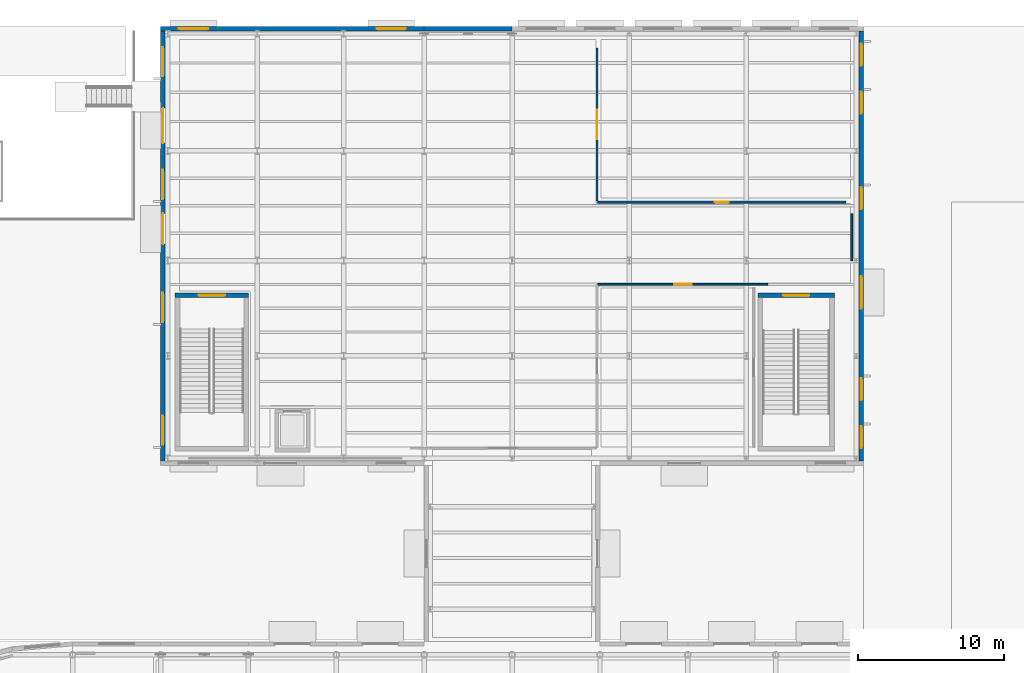
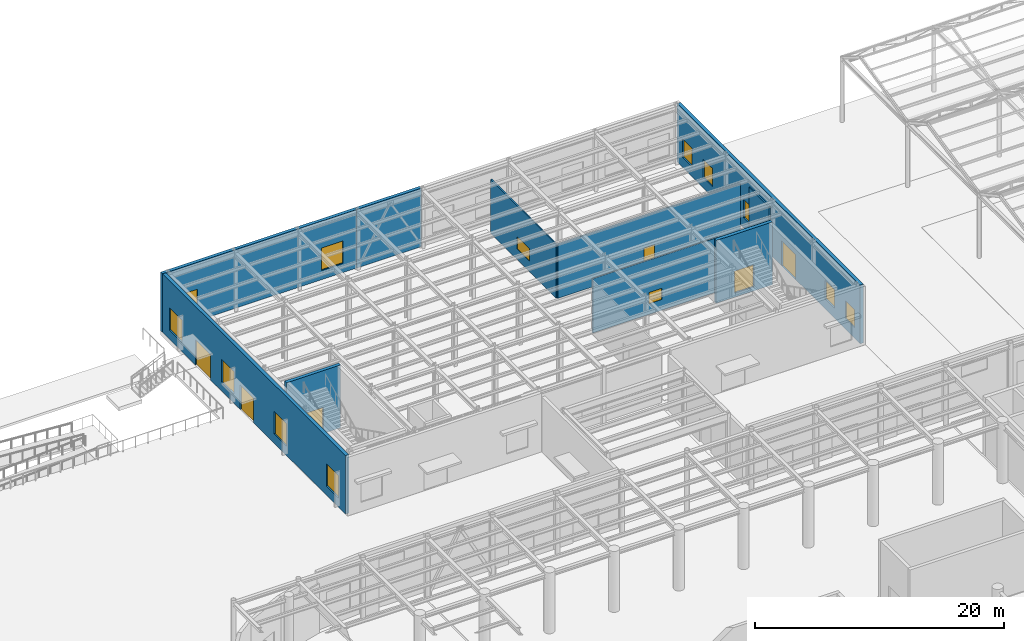
# One storey, part 93 of 118: 13 windows, 10 walls, 6 doors, 19 openings.
"""IFC4 building model written with IfcOpenShell, lengths in metres."""

from ifc_helpers import new_model, si_unit, direction, frame, frame_2d, origin, place, context, subcontext, project, spatial, rectangle, extrude, material, layer, layer_set, type_object, element, fill, save


model = new_model("IFC4")

# Units and contexts
model_context = context("Model", 3, precision=1e-05, world=origin(), true_north=direction((0.0, 1.0)))
body_context = subcontext(model_context, "Body", "Model", "MODEL_VIEW")
ifc_project = project(units=[si_unit("LENGTHUNIT", "METRE"), si_unit("AREAUNIT", "SQUARE_METRE"), si_unit("VOLUMEUNIT", "CUBIC_METRE"), si_unit("PLANEANGLEUNIT", "RADIAN"), si_unit("MASSUNIT", "GRAM", prefix="KILO")], contexts=[model_context])

# Site, building, storey
site_placement = place(None, origin())
site = spatial("IfcSite", under=ifc_project, at=site_placement, CompositionType="ELEMENT")
building_placement = place(site_placement, origin())
building = spatial("IfcBuilding", under=site, at=building_placement, Name="Kolvaren Corner Interchange", CompositionType="ELEMENT")
storey_placement = place(building_placement, origin())
storey = spatial("IfcBuildingStorey", under=building, at=storey_placement, Name="L01", CompositionType="ELEMENT", Elevation=0.0)

# Wall, opening, door
ifc_material_1 = material(Name="Concrete C35/45", Category="concrete")
ifc_layer_1 = layer(ifc_material_1, 0.31005859375)
ifc_layer_set_1 = layer_set([ifc_layer_1], Name="Concrete C35/45")
wall_type_1 = type_object("IfcWallType", Name="WL-STAIR-300", PredefinedType="SHEAR", material=ifc_layer_set_1)
wall_1_placement = place(storey_placement, frame((67.0, 95.64501953125, -0.39990234375), z_axis=(0.0, 0.0, 1.0), x_axis=(1.0, 0.0, 0.0)))
wall_1 = element("IfcWall", 1, at=wall_1_placement, inside=storey, type_object=wall_type_1, Name="Cycle Hub West Pavilion Exit Stair L01 North Enclosure Wall", PredefinedType="SHEAR", context=body_context, shape_type="SweptSolid", body=[
    extrude(rectangle(XDim=5.0, YDim=0.31005859375, at=frame_2d((2.5, 0.0))), origin(), (0.0, 0.0, 1.0), 6.14990234375),
])
opening_1_placement = place(wall_1_placement, frame((1.60009765625, 0.0, 0.39990234375)))
opening_1 = element("IfcOpeningElement", 2, at=opening_1_placement, cuts=wall_1, Name="Opening D-F01", PredefinedType="OPENING", context=body_context, shape_type="SweptSolid", body=[
    extrude(rectangle(XDim=1.800048828125, YDim=2.14990234375, at=frame_2d((0.89990234375, 1.074951171875))), frame((0.0, 0.1650390625, 0.0), z_axis=(0.0, -1.0, 0.0), x_axis=(1.0, 0.0, 0.0)), (0.0, 0.0, 1.0), 0.330078125),
])
ifc_material_2 = material(Name="Powder-coated Fire-rated Steel Sheet", Category="steel")
door_type_1 = type_object("IfcDoorType", Name="DT-FD-1800x2150", OperationType="NOTDEFINED", PredefinedType="DOOR", material=ifc_material_2)
door_1_placement = place(opening_1_placement, origin())
door_1 = element("IfcDoor", 3, at=door_1_placement, inside=storey, type_object=door_type_1, Name="Cycle Hub West Pavilion Exit Stair L01 Protected Exit Door", OperationType="DOUBLE_DOOR_SINGLE_SWING", OverallHeight=2.14990234375, OverallWidth=1.800048828125, PredefinedType="DOOR", context=body_context, shape_type="SweptSolid", body=[
    extrude(rectangle(XDim=1.800048828125, YDim=2.14990234375, at=frame_2d((0.89990234375, 1.074951171875))), frame((0.0, 0.02490234375, 0.0), z_axis=(0.0, -1.0, 0.0), x_axis=(1.0, 0.0, 0.0)), (0.0, 0.0, 1.0), 0.050048828125),
])
fill(opening_1, door_1)

wall_2_placement = place(storey_placement, frame((106.800048828125, 95.64501953125, -0.39990234375), z_axis=(0.0, 0.0, 1.0), x_axis=(1.0, 0.0, 0.0)))
wall_2 = element("IfcWall", 4, at=wall_2_placement, inside=storey, type_object=wall_type_1, Name="Cycle Hub East Mezzanine Exit Stair L01 North Enclosure Wall", PredefinedType="SHEAR", context=body_context, shape_type="SweptSolid", body=[
    extrude(rectangle(XDim=5.199951171875, YDim=0.31005859375, at=frame_2d((2.60009765625, 0.0))), origin(), (0.0, 0.0, 1.0), 6.14990234375),
])
opening_2_placement = place(wall_2_placement, frame((1.699951171875, 0.0, 0.39990234375)))
opening_2 = element("IfcOpeningElement", 5, at=opening_2_placement, cuts=wall_2, Name="Opening D-F01", PredefinedType="OPENING", context=body_context, shape_type="SweptSolid", body=[
    extrude(rectangle(XDim=1.800048828125, YDim=2.14990234375, at=frame_2d((0.89990234375, 1.074951171875))), frame((0.0, 0.1650390625, 0.0), z_axis=(0.0, -1.0, 0.0), x_axis=(1.0, 0.0, 0.0)), (0.0, 0.0, 1.0), 0.330078125),
])
door_2_placement = place(opening_2_placement, origin())
door_2 = element("IfcDoor", 6, at=door_2_placement, inside=storey, type_object=door_type_1, Name="Cycle Hub East Mezzanine Exit Stair L01 Protected Exit Door", OperationType="DOUBLE_DOOR_SINGLE_SWING", OverallHeight=2.14990234375, OverallWidth=1.800048828125, PredefinedType="DOOR", context=body_context, shape_type="SweptSolid", body=[
    extrude(rectangle(XDim=1.800048828125, YDim=2.14990234375, at=frame_2d((0.89990234375, 1.074951171875))), frame((0.0, 0.02490234375, 0.0), z_axis=(0.0, -1.0, 0.0), x_axis=(1.0, 0.0, 0.0)), (0.0, 0.0, 1.0), 0.050048828125),
])
fill(opening_2, door_2)

# Wall, openings, door, windows
ifc_material_3 = material(Name="Ochre Architectural Terracotta Rainscreen Assembly", Category="masonry")
ifc_layer_2 = layer(ifc_material_3, 0.300048828125)
ifc_layer_set_2 = layer_set([ifc_layer_2], Name="Ochre Architectural Terracotta Rainscreen Assembly")
wall_type_2 = type_object("IfcWallType", Name="WT-EXT-OCH300", PredefinedType="SOLIDWALL", material=ifc_layer_set_2)
wall_3_placement = place(storey_placement, frame((113.840087890625, 84.320068359375, 0.0), z_axis=(0.0, 0.0, 1.0), x_axis=(0.0, 1.0, 0.0)))
wall_3 = element("IfcWall", 7, at=wall_3_placement, inside=storey, type_object=wall_type_2, Name="Cycle Hub East Apron Facade Wall 0170", PredefinedType="SOLIDWALL", context=body_context, shape_type="SweptSolid", body=[
    extrude(rectangle(XDim=29.35986328125, YDim=0.300048828125, at=frame_2d((14.679931640625, 0.0))), origin(), (0.0, 0.0, 1.0), 5.739990234375),
])
opening_3_placement = place(wall_3_placement, frame((10.412109375, 0.0, 0.0)))
opening_3 = element("IfcOpeningElement", 8, at=opening_3_placement, cuts=wall_3, Name="Opening D-E08", PredefinedType="OPENING", context=body_context, shape_type="SweptSolid", body=[
    extrude(rectangle(XDim=2.199951171875, YDim=2.449951171875, at=frame_2d((1.10009765625, 1.22509765625))), frame((0.0, 0.159912109375, 0.0), z_axis=(0.0, -1.0, 0.0), x_axis=(1.0, 0.0, 0.0)), (0.0, 0.0, 1.0), 0.320068359375),
])
opening_4_placement = place(wall_3_placement, frame((0.881103515625, 0.0, 1.0)))
opening_4 = element("IfcOpeningElement", 9, at=opening_4_placement, cuts=wall_3, Name="Opening W-07", PredefinedType="OPENING", context=body_context, shape_type="SweptSolid", body=[
    extrude(rectangle(XDim=1.5, YDim=1.800048828125, at=frame_2d((0.75, 0.89990234375))), frame((0.0, 0.159912109375, 0.0), z_axis=(0.0, -1.0, 0.0), x_axis=(1.0, 0.0, 0.0)), (0.0, 0.0, 1.0), 0.320068359375),
])
opening_5_placement = place(wall_3_placement, frame((4.143310546875, 0.0, 1.0)))
opening_5 = element("IfcOpeningElement", 10, at=opening_5_placement, cuts=wall_3, Name="Opening W-07", PredefinedType="OPENING", context=body_context, shape_type="SweptSolid", body=[
    extrude(rectangle(XDim=1.5, YDim=1.800048828125, at=frame_2d((0.75, 0.89990234375))), frame((0.0, 0.159912109375, 0.0), z_axis=(0.0, -1.0, 0.0), x_axis=(1.0, 0.0, 0.0)), (0.0, 0.0, 1.0), 0.320068359375),
])
opening_6_placement = place(wall_3_placement, frame((17.192138671875, 0.0, 1.0)))
opening_6 = element("IfcOpeningElement", 11, at=opening_6_placement, cuts=wall_3, Name="Opening W-07", PredefinedType="OPENING", context=body_context, shape_type="SweptSolid", body=[
    extrude(rectangle(XDim=1.5, YDim=1.800048828125, at=frame_2d((0.75, 0.89990234375))), frame((0.0, 0.159912109375, 0.0), z_axis=(0.0, -1.0, 0.0), x_axis=(1.0, 0.0, 0.0)), (0.0, 0.0, 1.0), 0.320068359375),
])
opening_7_placement = place(wall_3_placement, frame((23.716796875, 0.0, 1.0)))
opening_7 = element("IfcOpeningElement", 12, at=opening_7_placement, cuts=wall_3, Name="Opening W-07", PredefinedType="OPENING", context=body_context, shape_type="SweptSolid", body=[
    extrude(rectangle(XDim=1.5, YDim=1.800048828125, at=frame_2d((0.75, 0.89990234375))), frame((0.0, 0.159912109375, 0.0), z_axis=(0.0, -1.0, 0.0), x_axis=(1.0, 0.0, 0.0)), (0.0, 0.0, 1.0), 0.320068359375),
])
opening_8_placement = place(wall_3_placement, frame((26.97900390625, 0.0, 1.0)))
opening_8 = element("IfcOpeningElement", 13, at=opening_8_placement, cuts=wall_3, Name="Opening W-07", PredefinedType="OPENING", context=body_context, shape_type="SweptSolid", body=[
    extrude(rectangle(XDim=1.5, YDim=1.800048828125, at=frame_2d((0.75, 0.89990234375))), frame((0.0, 0.159912109375, 0.0), z_axis=(0.0, -1.0, 0.0), x_axis=(1.0, 0.0, 0.0)), (0.0, 0.0, 1.0), 0.320068359375),
])
ifc_material_4 = material(Name="Anodised Aluminium and Laminated Safety Glass", Category="aluminium")
door_type_2 = type_object("IfcDoorType", Name="DT-EXT-DBL2200", OperationType="NOTDEFINED", PredefinedType="DOOR", material=ifc_material_4)
door_3_placement = place(opening_3_placement, origin())
door_3 = element("IfcDoor", 14, at=door_3_placement, inside=storey, type_object=door_type_2, Name="L01 Cycle Hub East Apron Exit Door 027", OperationType="DOUBLE_DOOR_SINGLE_SWING", OverallHeight=2.449951171875, OverallWidth=2.199951171875, PredefinedType="DOOR", context=body_context, shape_type="SweptSolid", body=[
    extrude(rectangle(XDim=2.199951171875, YDim=2.449951171875, at=frame_2d((1.10009765625, 1.22509765625))), frame((0.0, 0.02490234375, 0.0), z_axis=(0.0, -1.0, 0.0), x_axis=(1.0, 0.0, 0.0)), (0.0, 0.0, 1.0), 0.050048828125),
])
fill(opening_3, door_3)
ifc_material_5 = material(Name="Thermally Broken Aluminium and Solar-Control Double Glazing", Category="aluminium")
window_type_1 = type_object("IfcWindowType", Name="WT-CYC-1500x1800", PartitioningType="SINGLE_PANEL", PredefinedType="WINDOW", material=ifc_material_5)
window_1_placement = place(opening_4_placement, origin())
window_1 = element("IfcWindow", 15, at=window_1_placement, inside=storey, type_object=window_type_1, Name="L01 Cycle Hub East Apron Facade Window 0248", OverallHeight=1.800048828125, OverallWidth=1.5, PartitioningType="SINGLE_PANEL", PredefinedType="WINDOW", context=body_context, shape_type="SweptSolid", body=[
    extrude(rectangle(XDim=1.5, YDim=1.800048828125, at=frame_2d((0.75, 0.89990234375))), frame((0.0, 0.030029296875, 0.0), z_axis=(0.0, -1.0, 0.0), x_axis=(1.0, 0.0, 0.0)), (0.0, 0.0, 1.0), 0.06005859375),
])
fill(opening_4, window_1)
window_2_placement = place(opening_5_placement, origin())
window_2 = element("IfcWindow", 16, at=window_2_placement, inside=storey, type_object=window_type_1, Name="L01 Cycle Hub East Apron Facade Window 0249", OverallHeight=1.800048828125, OverallWidth=1.5, PartitioningType="SINGLE_PANEL", PredefinedType="WINDOW", context=body_context, shape_type="SweptSolid", body=[
    extrude(rectangle(XDim=1.5, YDim=1.800048828125, at=frame_2d((0.75, 0.89990234375))), frame((0.0, 0.030029296875, 0.0), z_axis=(0.0, -1.0, 0.0), x_axis=(1.0, 0.0, 0.0)), (0.0, 0.0, 1.0), 0.06005859375),
])
fill(opening_5, window_2)
window_3_placement = place(opening_6_placement, origin())
window_3 = element("IfcWindow", 17, at=window_3_placement, inside=storey, type_object=window_type_1, Name="L01 Cycle Hub East Apron Facade Window 0250", OverallHeight=1.800048828125, OverallWidth=1.5, PartitioningType="SINGLE_PANEL", PredefinedType="WINDOW", context=body_context, shape_type="SweptSolid", body=[
    extrude(rectangle(XDim=1.5, YDim=1.800048828125, at=frame_2d((0.75, 0.89990234375))), frame((0.0, 0.030029296875, 0.0), z_axis=(0.0, -1.0, 0.0), x_axis=(1.0, 0.0, 0.0)), (0.0, 0.0, 1.0), 0.06005859375),
])
fill(opening_6, window_3)
window_4_placement = place(opening_7_placement, origin())
window_4 = element("IfcWindow", 18, at=window_4_placement, inside=storey, type_object=window_type_1, Name="L01 Cycle Hub East Apron Facade Window 0251", OverallHeight=1.800048828125, OverallWidth=1.5, PartitioningType="SINGLE_PANEL", PredefinedType="WINDOW", context=body_context, shape_type="SweptSolid", body=[
    extrude(rectangle(XDim=1.5, YDim=1.800048828125, at=frame_2d((0.75, 0.89990234375))), frame((0.0, 0.030029296875, 0.0), z_axis=(0.0, -1.0, 0.0), x_axis=(1.0, 0.0, 0.0)), (0.0, 0.0, 1.0), 0.06005859375),
])
fill(opening_7, window_4)
window_5_placement = place(opening_8_placement, origin())
window_5 = element("IfcWindow", 19, at=window_5_placement, inside=storey, type_object=window_type_1, Name="L01 Cycle Hub East Apron Facade Window 0252", OverallHeight=1.800048828125, OverallWidth=1.5, PartitioningType="SINGLE_PANEL", PredefinedType="WINDOW", context=body_context, shape_type="SweptSolid", body=[
    extrude(rectangle(XDim=1.5, YDim=1.800048828125, at=frame_2d((0.75, 0.89990234375))), frame((0.0, 0.030029296875, 0.0), z_axis=(0.0, -1.0, 0.0), x_axis=(1.0, 0.0, 0.0)), (0.0, 0.0, 1.0), 0.06005859375),
])
fill(opening_8, window_5)

# Wall
wall_4_placement = place(storey_placement, frame((90.0, 113.840087890625, 0.0), z_axis=(0.0, 0.0, 1.0), x_axis=(-1.0, 0.0, 0.0)))
element("IfcWall", 20, at=wall_4_placement, inside=storey, type_object=wall_type_2, Name="Cycle Hub North Facade Wall 0172", PredefinedType="SOLIDWALL", context=body_context, shape_type="SweptSolid", body=[
    extrude(rectangle(XDim=6.0, YDim=0.300048828125, at=frame_2d((3.0, 0.0))), origin(), (0.0, 0.0, 1.0), 5.739990234375),
])

# Wall, openings, windows
wall_5_placement = place(storey_placement, frame((84.0, 113.840087890625, 0.0), z_axis=(0.0, 0.0, 1.0), x_axis=(-1.0, 0.0, 0.0)))
wall_5 = element("IfcWall", 21, at=wall_5_placement, inside=storey, type_object=wall_type_2, Name="Cycle Hub North Facade Wall 0173", PredefinedType="SOLIDWALL", context=body_context, shape_type="SweptSolid", body=[
    extrude(rectangle(XDim=18.0, YDim=0.300048828125, at=frame_2d((9.0, 0.0))), origin(), (0.0, 0.0, 1.0), 5.739990234375),
])
opening_9_placement = place(wall_5_placement, frame((1.25, 0.0, 0.89990234375)))
opening_9 = element("IfcOpeningElement", 22, at=opening_9_placement, cuts=wall_5, Name="Opening W-06", PredefinedType="OPENING", context=body_context, shape_type="SweptSolid", body=[
    extrude(rectangle(XDim=2.0, YDim=2.199951171875, at=frame_2d((1.0, 1.10009765625))), frame((0.0, 0.159912109375, 0.0), z_axis=(0.0, -1.0, 0.0), x_axis=(1.0, 0.0, 0.0)), (0.0, 0.0, 1.0), 0.320068359375),
])
opening_10_placement = place(wall_5_placement, frame((14.75, 0.0, 0.89990234375)))
opening_10 = element("IfcOpeningElement", 23, at=opening_10_placement, cuts=wall_5, Name="Opening W-06", PredefinedType="OPENING", context=body_context, shape_type="SweptSolid", body=[
    extrude(rectangle(XDim=2.0, YDim=2.199951171875, at=frame_2d((1.0, 1.10009765625))), frame((0.0, 0.159912109375, 0.0), z_axis=(0.0, -1.0, 0.0), x_axis=(1.0, 0.0, 0.0)), (0.0, 0.0, 1.0), 0.320068359375),
])
ifc_material_6 = material(Name="Thermally Broken Aluminium and Solar-Control Double Glazing", Category="aluminium")
window_type_2 = type_object("IfcWindowType", Name="WT-CYC-2000x2200", PartitioningType="DOUBLE_PANEL_HORIZONTAL", PredefinedType="WINDOW", material=ifc_material_6)
window_6_placement = place(opening_9_placement, origin())
window_6 = element("IfcWindow", 24, at=window_6_placement, inside=storey, type_object=window_type_2, Name="L01 Cycle Hub North Facade Window 0259", OverallHeight=2.199951171875, OverallWidth=2.0, PartitioningType="SINGLE_PANEL", PredefinedType="WINDOW", context=body_context, shape_type="SweptSolid", body=[
    extrude(rectangle(XDim=2.0, YDim=2.199951171875, at=frame_2d((1.0, 1.10009765625))), frame((0.0, 0.030029296875, 0.0), z_axis=(0.0, -1.0, 0.0), x_axis=(1.0, 0.0, 0.0)), (0.0, 0.0, 1.0), 0.06005859375),
])
fill(opening_9, window_6)
window_7_placement = place(opening_10_placement, origin())
window_7 = element("IfcWindow", 25, at=window_7_placement, inside=storey, type_object=window_type_2, Name="L01 Cycle Hub North Facade Window 0260", OverallHeight=2.199951171875, OverallWidth=2.0, PartitioningType="SINGLE_PANEL", PredefinedType="WINDOW", context=body_context, shape_type="SweptSolid", body=[
    extrude(rectangle(XDim=2.0, YDim=2.199951171875, at=frame_2d((1.0, 1.10009765625))), frame((0.0, 0.030029296875, 0.0), z_axis=(0.0, -1.0, 0.0), x_axis=(1.0, 0.0, 0.0)), (0.0, 0.0, 1.0), 0.06005859375),
])
fill(opening_10, window_7)

# Wall, openings, doors, windows
wall_6_placement = place(storey_placement, frame((66.159912109375, 113.679931640625, 0.0), z_axis=(0.0, 0.0, 1.0), x_axis=(0.0, -1.0, 0.0)))
wall_6 = element("IfcWall", 26, at=wall_6_placement, inside=storey, type_object=wall_type_2, Name="Cycle Hub West Rain Court Facade Wall 0174", PredefinedType="SOLIDWALL", context=body_context, shape_type="SweptSolid", body=[
    extrude(rectangle(XDim=29.35986328125, YDim=0.300048828125, at=frame_2d((14.679931640625, 0.0))), origin(), (0.0, 0.0, 1.0), 5.739990234375),
])
opening_11_placement = place(wall_6_placement, frame((5.25927734375, 0.0, 0.0)))
opening_11 = element("IfcOpeningElement", 27, at=opening_11_placement, cuts=wall_6, Name="Opening D-E01", PredefinedType="OPENING", context=body_context, shape_type="SweptSolid", body=[
    extrude(rectangle(XDim=2.39990234375, YDim=2.5, at=frame_2d((1.199951171875, 1.25))), frame((0.0, 0.159912109375, 0.0), z_axis=(0.0, -1.0, 0.0), x_axis=(1.0, 0.0, 0.0)), (0.0, 0.0, 1.0), 0.320068359375),
])
opening_12_placement = place(wall_6_placement, frame((12.45556640625, 0.0, 0.0)))
opening_12 = element("IfcOpeningElement", 28, at=opening_12_placement, cuts=wall_6, Name="Opening D-E12", PredefinedType="OPENING", context=body_context, shape_type="SweptSolid", body=[
    extrude(rectangle(XDim=2.10009765625, YDim=2.419921875, at=frame_2d((1.050048828125, 1.2099609375))), frame((0.0, 0.159912109375, 0.0), z_axis=(0.0, -1.0, 0.0), x_axis=(1.0, 0.0, 0.0)), (0.0, 0.0, 1.0), 0.320068359375),
])
opening_13_placement = place(wall_6_placement, frame((1.09716796875, 0.0, 0.89990234375)))
opening_13 = element("IfcOpeningElement", 29, at=opening_13_placement, cuts=wall_6, Name="Opening W-06", PredefinedType="OPENING", context=body_context, shape_type="SweptSolid", body=[
    extrude(rectangle(XDim=2.0, YDim=2.199951171875, at=frame_2d((1.0, 1.10009765625))), frame((0.0, 0.159912109375, 0.0), z_axis=(0.0, -1.0, 0.0), x_axis=(1.0, 0.0, 0.0)), (0.0, 0.0, 1.0), 0.320068359375),
])
opening_14_placement = place(wall_6_placement, frame((9.485595703125, 0.0, 0.89990234375)))
opening_14 = element("IfcOpeningElement", 30, at=opening_14_placement, cuts=wall_6, Name="Opening W-06", PredefinedType="OPENING", context=body_context, shape_type="SweptSolid", body=[
    extrude(rectangle(XDim=2.0, YDim=2.199951171875, at=frame_2d((1.0, 1.10009765625))), frame((0.0, 0.159912109375, 0.0), z_axis=(0.0, -1.0, 0.0), x_axis=(1.0, 0.0, 0.0)), (0.0, 0.0, 1.0), 0.320068359375),
])
opening_15_placement = place(wall_6_placement, frame((17.874267578125, 0.0, 0.89990234375)))
opening_15 = element("IfcOpeningElement", 31, at=opening_15_placement, cuts=wall_6, Name="Opening W-06", PredefinedType="OPENING", context=body_context, shape_type="SweptSolid", body=[
    extrude(rectangle(XDim=2.0, YDim=2.199951171875, at=frame_2d((1.0, 1.10009765625))), frame((0.0, 0.159912109375, 0.0), z_axis=(0.0, -1.0, 0.0), x_axis=(1.0, 0.0, 0.0)), (0.0, 0.0, 1.0), 0.320068359375),
])
opening_16_placement = place(wall_6_placement, frame((26.262939453125, 0.0, 0.89990234375)))
opening_16 = element("IfcOpeningElement", 32, at=opening_16_placement, cuts=wall_6, Name="Opening W-06", PredefinedType="OPENING", context=body_context, shape_type="SweptSolid", body=[
    extrude(rectangle(XDim=2.0, YDim=2.199951171875, at=frame_2d((1.0, 1.10009765625))), frame((0.0, 0.159912109375, 0.0), z_axis=(0.0, -1.0, 0.0), x_axis=(1.0, 0.0, 0.0)), (0.0, 0.0, 1.0), 0.320068359375),
])
ifc_material_7 = material(Name="Anodised Aluminium and Laminated Safety Glass", Category="aluminium")
door_type_3 = type_object("IfcDoorType", Name="DT-EXT-DBL2100", OperationType="NOTDEFINED", PredefinedType="DOOR", material=ifc_material_7)
door_4_placement = place(opening_12_placement, origin())
door_4 = element("IfcDoor", 33, at=door_4_placement, inside=storey, type_object=door_type_3, Name="L01 Cycle Hub West Court Entrance Door 029", OperationType="DOUBLE_DOOR_SINGLE_SWING", OverallHeight=2.419921875, OverallWidth=2.10009765625, PredefinedType="DOOR", context=body_context, shape_type="SweptSolid", body=[
    extrude(rectangle(XDim=2.10009765625, YDim=2.419921875, at=frame_2d((1.050048828125, 1.2099609375))), frame((0.0, 0.02490234375, 0.0), z_axis=(0.0, -1.0, 0.0), x_axis=(1.0, 0.0, 0.0)), (0.0, 0.0, 1.0), 0.050048828125),
])
fill(opening_12, door_4)
ifc_material_8 = material(Name="Anodised Aluminium and Laminated Safety Glass", Category="aluminium")
door_type_4 = type_object("IfcDoorType", Name="DT-EXT-DBL2400", OperationType="NOTDEFINED", PredefinedType="DOOR", material=ifc_material_8)
door_5_placement = place(opening_11_placement, origin())
door_5 = element("IfcDoor", 34, at=door_5_placement, inside=storey, type_object=door_type_4, Name="L01 Cycle Hub Northwest Ramp Entrance Door 028", OperationType="DOUBLE_DOOR_SINGLE_SWING", OverallHeight=2.5, OverallWidth=2.39990234375, PredefinedType="DOOR", context=body_context, shape_type="SweptSolid", body=[
    extrude(rectangle(XDim=2.39990234375, YDim=2.5, at=frame_2d((1.199951171875, 1.25))), frame((0.0, 0.02490234375, 0.0), z_axis=(0.0, -1.0, 0.0), x_axis=(1.0, 0.0, 0.0)), (0.0, 0.0, 1.0), 0.050048828125),
])
fill(opening_11, door_5)
window_8_placement = place(opening_13_placement, origin())
window_8 = element("IfcWindow", 35, at=window_8_placement, inside=storey, type_object=window_type_2, Name="L01 Cycle Hub West Rain Court Facade Window 0261", OverallHeight=2.199951171875, OverallWidth=2.0, PartitioningType="SINGLE_PANEL", PredefinedType="WINDOW", context=body_context, shape_type="SweptSolid", body=[
    extrude(rectangle(XDim=2.0, YDim=2.199951171875, at=frame_2d((1.0, 1.10009765625))), frame((0.0, 0.030029296875, 0.0), z_axis=(0.0, -1.0, 0.0), x_axis=(1.0, 0.0, 0.0)), (0.0, 0.0, 1.0), 0.06005859375),
])
fill(opening_13, window_8)
window_9_placement = place(opening_14_placement, origin())
window_9 = element("IfcWindow", 36, at=window_9_placement, inside=storey, type_object=window_type_2, Name="L01 Cycle Hub West Rain Court Facade Window 0262", OverallHeight=2.199951171875, OverallWidth=2.0, PartitioningType="SINGLE_PANEL", PredefinedType="WINDOW", context=body_context, shape_type="SweptSolid", body=[
    extrude(rectangle(XDim=2.0, YDim=2.199951171875, at=frame_2d((1.0, 1.10009765625))), frame((0.0, 0.030029296875, 0.0), z_axis=(0.0, -1.0, 0.0), x_axis=(1.0, 0.0, 0.0)), (0.0, 0.0, 1.0), 0.06005859375),
])
fill(opening_14, window_9)
window_10_placement = place(opening_15_placement, origin())
window_10 = element("IfcWindow", 37, at=window_10_placement, inside=storey, type_object=window_type_2, Name="L01 Cycle Hub West Rain Court Facade Window 0263", OverallHeight=2.199951171875, OverallWidth=2.0, PartitioningType="SINGLE_PANEL", PredefinedType="WINDOW", context=body_context, shape_type="SweptSolid", body=[
    extrude(rectangle(XDim=2.0, YDim=2.199951171875, at=frame_2d((1.0, 1.10009765625))), frame((0.0, 0.030029296875, 0.0), z_axis=(0.0, -1.0, 0.0), x_axis=(1.0, 0.0, 0.0)), (0.0, 0.0, 1.0), 0.06005859375),
])
fill(opening_15, window_10)
window_11_placement = place(opening_16_placement, origin())
window_11 = element("IfcWindow", 38, at=window_11_placement, inside=storey, type_object=window_type_2, Name="L01 Cycle Hub West Rain Court Facade Window 0264", OverallHeight=2.199951171875, OverallWidth=2.0, PartitioningType="SINGLE_PANEL", PredefinedType="WINDOW", context=body_context, shape_type="SweptSolid", body=[
    extrude(rectangle(XDim=2.0, YDim=2.199951171875, at=frame_2d((1.0, 1.10009765625))), frame((0.0, 0.030029296875, 0.0), z_axis=(0.0, -1.0, 0.0), x_axis=(1.0, 0.0, 0.0)), (0.0, 0.0, 1.0), 0.06005859375),
])
fill(opening_16, window_11)

# Wall, opening, window
ifc_material_9 = material(Name="Standard Metal-Stud Drywall Partition")
ifc_layer_3 = layer(ifc_material_9, 0.1201171875)
ifc_layer_set_3 = layer_set([ifc_layer_3], Name="Standard Metal-Stud Drywall Partition")
wall_type_3 = type_object("IfcWallType", Name="WT-PART-ST125", PredefinedType="PARTITIONING", material=ifc_layer_set_3)
wall_7_placement = place(storey_placement, frame((95.862060546875, 96.39990234375, 0.0), z_axis=(0.0, 0.0, 1.0), x_axis=(1.0, 0.0, 0.0)))
wall_7 = element("IfcWall", 39, at=wall_7_placement, inside=storey, type_object=wall_type_3, Name="L01 Cycle Hub Rack Hall Partition Wall 045", PredefinedType="PARTITIONING", context=body_context, shape_type="SweptSolid", body=[
    extrude(rectangle(XDim=11.587890625, YDim=0.1201171875, at=frame_2d((5.7939453125, 0.0))), origin(), (0.0, 0.0, 1.0), 5.324951171875),
])
opening_17_placement = place(wall_7_placement, frame((5.194091796875, 0.0, 1.050048828125)))
opening_17 = element("IfcOpeningElement", 40, at=opening_17_placement, cuts=wall_7, Name="Opening W-I04", PredefinedType="OPENING", context=body_context, shape_type="SweptSolid", body=[
    extrude(rectangle(XDim=1.199951171875, YDim=1.10009765625, at=frame_2d((0.60009765625, 0.550048828125))), frame((0.0, 0.070068359375, 0.0), z_axis=(0.0, -1.0, 0.0), x_axis=(1.0, 0.0, 0.0)), (0.0, 0.0, 1.0), 0.14013671875),
])
ifc_material_10 = material(Name="Acoustic Partition Vision Panel")
window_type_3 = type_object("IfcWindowType", Name="WT-INT-1200x1100", PartitioningType="SINGLE_PANEL", PredefinedType="WINDOW", material=ifc_material_10)
window_12_placement = place(opening_17_placement, origin())
window_12 = element("IfcWindow", 41, at=window_12_placement, inside=storey, type_object=window_type_3, Name="L01 Interior Vision Glazing 18", OverallHeight=1.10009765625, OverallWidth=1.199951171875, PartitioningType="SINGLE_PANEL", PredefinedType="WINDOW", context=body_context, shape_type="SweptSolid", body=[
    extrude(rectangle(XDim=1.199951171875, YDim=1.10009765625, at=frame_2d((0.60009765625, 0.550048828125))), frame((0.0, 0.030029296875, 0.0), z_axis=(0.0, -1.0, 0.0), x_axis=(1.0, 0.0, 0.0)), (0.0, 0.0, 1.0), 0.06005859375),
])
fill(opening_17, window_12)

# Wall
wall_8_placement = place(storey_placement, frame((113.199951171875, 97.98193359375, 0.0), z_axis=(0.0, 0.0, 1.0), x_axis=(0.0, 1.0, 0.0)))
element("IfcWall", 42, at=wall_8_placement, inside=storey, type_object=wall_type_3, Name="L01 Cycle Hub Rack Hall Partition Wall 046", PredefinedType="PARTITIONING", context=body_context, shape_type="SweptSolid", body=[
    extrude(rectangle(XDim=3.230224609375, YDim=0.1201171875, at=frame_2d((1.615234375, 0.0))), origin(), (0.0, 0.0, 1.0), 5.284912109375),
])

# Wall, opening, door
wall_9_placement = place(storey_placement, frame((112.7900390625, 102.0, 0.0), z_axis=(0.0, 0.0, 1.0), x_axis=(-1.0, 0.0, 0.0)))
wall_9 = element("IfcWall", 43, at=wall_9_placement, inside=storey, type_object=wall_type_3, Name="L01 Cycle Hub Rack Hall Partition Wall 047", PredefinedType="PARTITIONING", context=body_context, shape_type="SweptSolid", body=[
    extrude(rectangle(XDim=16.93994140625, YDim=0.1201171875, at=frame_2d((8.469970703125, 0.0))), origin(), (0.0, 0.0, 1.0), 5.324951171875),
])
opening_18_placement = place(wall_9_placement, frame((7.97998046875, 0.0, 0.0)))
opening_18 = element("IfcOpeningElement", 44, at=opening_18_placement, cuts=wall_9, Name="Opening D-I03", PredefinedType="OPENING", context=body_context, shape_type="SweptSolid", body=[
    extrude(rectangle(XDim=0.97998046875, YDim=2.14990234375, at=frame_2d((0.489990234375, 1.074951171875))), frame((0.0, 0.070068359375, 0.0), z_axis=(0.0, -1.0, 0.0), x_axis=(1.0, 0.0, 0.0)), (0.0, 0.0, 1.0), 0.14013671875),
])
ifc_material_11 = material(Name="Solid-Core Iroko Timber Door", Category="wood")
door_type_5 = type_object("IfcDoorType", Name="DT-INT-980x2150", OperationType="NOTDEFINED", PredefinedType="DOOR", material=ifc_material_11)
door_6_placement = place(opening_18_placement, origin())
door_6 = element("IfcDoor", 45, at=door_6_placement, inside=storey, type_object=door_type_5, Name="L01 Cycle Lockers and Showers Door", OperationType="SINGLE_SWING_RIGHT", OverallHeight=2.14990234375, OverallWidth=0.97998046875, PredefinedType="DOOR", context=body_context, shape_type="SweptSolid", body=[
    extrude(rectangle(XDim=0.97998046875, YDim=2.14990234375, at=frame_2d((0.489990234375, 1.074951171875))), frame((0.0, 0.02490234375, 0.0), z_axis=(0.0, -1.0, 0.0), x_axis=(1.0, 0.0, 0.0)), (0.0, 0.0, 1.0), 0.050048828125),
])
fill(opening_18, door_6)

# Wall, opening, window
wall_10_placement = place(storey_placement, frame((95.800048828125, 102.06201171875, 0.0), z_axis=(0.0, 0.0, 1.0), x_axis=(0.0, 1.0, 0.0)))
wall_10 = element("IfcWall", 46, at=wall_10_placement, inside=storey, type_object=wall_type_3, Name="L01 Cycle Hub Rack Hall Partition Wall 048", PredefinedType="PARTITIONING", context=body_context, shape_type="SweptSolid", body=[
    extrude(rectangle(XDim=10.47802734375, YDim=0.1201171875, at=frame_2d((5.239013671875, 0.0))), origin(), (0.0, 0.0, 1.0), 5.284912109375),
])
opening_19_placement = place(wall_10_placement, frame((4.239013671875, 0.0, 1.050048828125)))
opening_19 = element("IfcOpeningElement", 47, at=opening_19_placement, cuts=wall_10, Name="Opening W-I01", PredefinedType="OPENING", context=body_context, shape_type="SweptSolid", body=[
    extrude(rectangle(XDim=2.0, YDim=1.199951171875, at=frame_2d((1.0, 0.60009765625))), frame((0.0, 0.070068359375, 0.0), z_axis=(0.0, -1.0, 0.0), x_axis=(1.0, 0.0, 0.0)), (0.0, 0.0, 1.0), 0.14013671875),
])
ifc_material_12 = material(Name="Acoustic Laminated Interior Vision Glazing", Category="glass")
window_type_4 = type_object("IfcWindowType", Name="WT-INT-2000x1200", PartitioningType="DOUBLE_PANEL_HORIZONTAL", PredefinedType="WINDOW", material=ifc_material_12)
window_13_placement = place(opening_19_placement, origin())
window_13 = element("IfcWindow", 48, at=window_13_placement, inside=storey, type_object=window_type_4, Name="L01 Interior Vision Glazing 19", OverallHeight=1.199951171875, OverallWidth=2.0, PartitioningType="SINGLE_PANEL", PredefinedType="WINDOW", context=body_context, shape_type="SweptSolid", body=[
    extrude(rectangle(XDim=2.0, YDim=1.199951171875, at=frame_2d((1.0, 0.60009765625))), frame((0.0, 0.030029296875, 0.0), z_axis=(0.0, -1.0, 0.0), x_axis=(1.0, 0.0, 0.0)), (0.0, 0.0, 1.0), 0.06005859375),
])
fill(opening_19, window_13)

save(model, "model.ifc")
